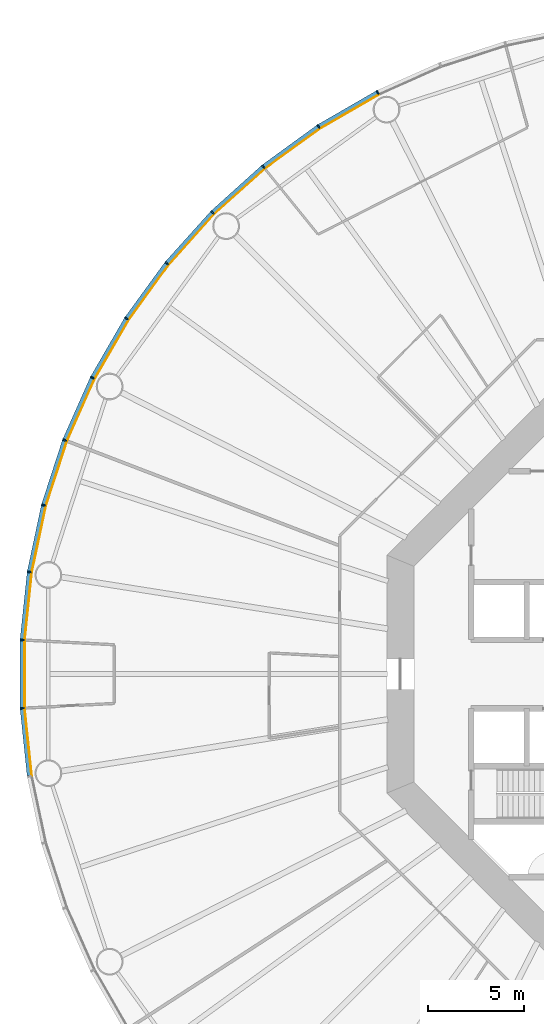
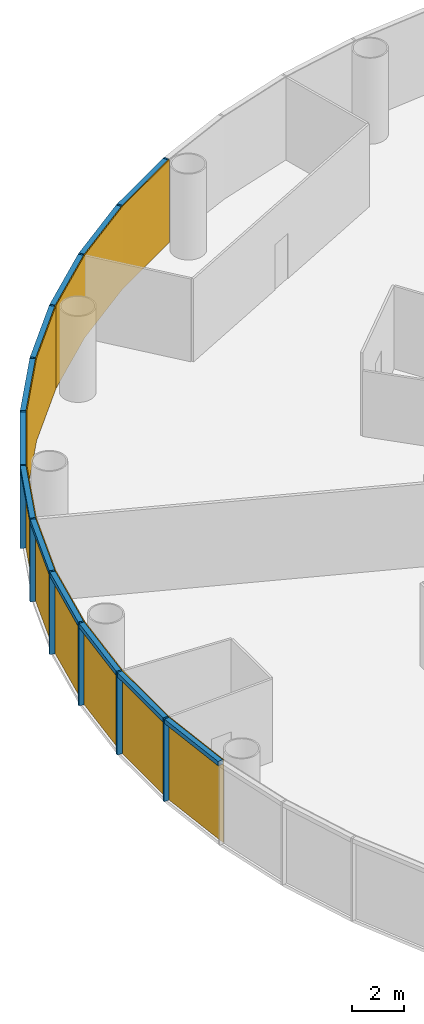
# One storey, part 9 of 13: 24 members, 4 curtain walls.
"""IFC4 building model written with IfcOpenShell, lengths in metres."""

from ifc_helpers import new_model, si_unit, direction, frame, origin, origin_2d, place, context, subcontext, project, spatial, polyline, rectangle, outline, extrude, material, layer, layer_set, material_profile, profile_set, type_object, element, aggregate, save


model = new_model("IFC4")

# Units and contexts
model_context = context("Model", 3, precision=1e-05, world=origin(), true_north=direction((0.0, 1.0)))
body_context = subcontext(model_context, "Body", "Model", "MODEL_VIEW")
ifc_project = project(units=[si_unit("LENGTHUNIT", "METRE"), si_unit("AREAUNIT", "SQUARE_METRE"), si_unit("VOLUMEUNIT", "CUBIC_METRE"), si_unit("PLANEANGLEUNIT", "RADIAN"), si_unit("MASSUNIT", "GRAM", prefix="KILO")], contexts=[model_context])

# Member
ifc_material_1 = material(Name="Anodised aluminium", Category="aluminium")
ifc_material_profile_1 = material_profile(ifc_material_1, rectangle(XDim=0.074951171875, YDim=0.219970703125, at=origin_2d()), Name="Mullion 75 x 220 mm anodised aluminium")
ifc_profile_set_1 = profile_set([ifc_material_profile_1], Name="Anodised aluminium")
member_type_1 = type_object("IfcMemberType", Name="Mullion 75 x 220 mm anodised aluminium", PredefinedType="MULLION", material=ifc_profile_set_1)
site_placement = place(None, origin())
building_placement = place(site_placement, origin())
storey_placement = place(building_placement, frame((0.0, 0.0, 30.0)))
member_1_placement = place(storey_placement, frame((74.514404296875, 110.392333984375, 0.0), z_axis=(0.0, 0.0, 1.0), x_axis=(-0.891006524188, -0.45399049974, 0.0)))
member_1 = element("IfcMember", 1, at=member_1_placement, type_object=member_type_1, Name="MULLION L05-18", PredefinedType="MULLION", context=body_context, shape_type="SweptSolid", body=[
    extrude(rectangle(XDim=0.074951171875, YDim=0.219970703125, at=origin_2d()), origin(), (0.0, 0.0, 1.0), 3.85009765625),
])

member_2_placement = place(storey_placement, frame((71.42236328125, 108.60693359375, 0.0), z_axis=(0.0, 0.0, 1.0), x_axis=(-0.838670567945, -0.544639035015, 0.0)))
member_2 = element("IfcMember", 2, at=member_2_placement, type_object=member_type_1, Name="MULLION L05-19", PredefinedType="MULLION", context=body_context, shape_type="SweptSolid", body=[
    extrude(rectangle(XDim=0.074951171875, YDim=0.219970703125, at=origin_2d()), origin(), (0.0, 0.0, 1.0), 3.85009765625),
])

member_3_placement = place(storey_placement, frame((68.533935546875, 106.508544921875, 0.0), z_axis=(0.0, 0.0, 1.0), x_axis=(-0.777145961457, -0.62932039105, 0.0)))
member_3 = element("IfcMember", 3, at=member_3_placement, type_object=member_type_1, Name="MULLION L05-20", PredefinedType="MULLION", context=body_context, shape_type="SweptSolid", body=[
    extrude(rectangle(XDim=0.074951171875, YDim=0.219970703125, at=origin_2d()), origin(), (0.0, 0.0, 1.0), 3.85009765625),
])

member_4_placement = place(storey_placement, frame((65.880615234375, 104.119384765625, 0.0), z_axis=(0.0, 0.0, 1.0), x_axis=(-0.707106781187, -0.707106781187, 0.0)))
member_4 = element("IfcMember", 4, at=member_4_placement, type_object=member_type_1, Name="MULLION L05-21", PredefinedType="MULLION", context=body_context, shape_type="SweptSolid", body=[
    extrude(rectangle(XDim=0.074951171875, YDim=0.219970703125, at=origin_2d()), origin(), (0.0, 0.0, 1.0), 3.85009765625),
])

member_5_placement = place(storey_placement, frame((63.491455078125, 101.466064453125, 0.0), z_axis=(0.0, 0.0, 1.0), x_axis=(-0.62932039105, -0.777145961457, 0.0)))
member_5 = element("IfcMember", 5, at=member_5_placement, type_object=member_type_1, Name="MULLION L05-22", PredefinedType="MULLION", context=body_context, shape_type="SweptSolid", body=[
    extrude(rectangle(XDim=0.074951171875, YDim=0.219970703125, at=origin_2d()), origin(), (0.0, 0.0, 1.0), 3.85009765625),
])

member_6_placement = place(storey_placement, frame((61.39306640625, 98.57763671875, 0.0), z_axis=(0.0, 0.0, 1.0), x_axis=(-0.544639035015, -0.838670567945, 0.0)))
member_6 = element("IfcMember", 6, at=member_6_placement, type_object=member_type_1, Name="MULLION L05-23", PredefinedType="MULLION", context=body_context, shape_type="SweptSolid", body=[
    extrude(rectangle(XDim=0.074951171875, YDim=0.219970703125, at=origin_2d()), origin(), (0.0, 0.0, 1.0), 3.85009765625),
])

member_7_placement = place(storey_placement, frame((59.607666015625, 95.485595703125, 0.0), z_axis=(0.0, 0.0, 1.0), x_axis=(-0.45399049974, -0.891006524188, 0.0)))
member_7 = element("IfcMember", 7, at=member_7_placement, type_object=member_type_1, Name="MULLION L05-24", PredefinedType="MULLION", context=body_context, shape_type="SweptSolid", body=[
    extrude(rectangle(XDim=0.074951171875, YDim=0.219970703125, at=origin_2d()), origin(), (0.0, 0.0, 1.0), 3.85009765625),
])

member_8_placement = place(storey_placement, frame((58.155517578125, 92.223876953125, 0.0), z_axis=(0.0, 0.0, 1.0), x_axis=(-0.358367949545, -0.933580426497, 0.0)))
member_8 = element("IfcMember", 8, at=member_8_placement, type_object=member_type_1, Name="MULLION L05-25", PredefinedType="MULLION", context=body_context, shape_type="SweptSolid", body=[
    extrude(rectangle(XDim=0.074951171875, YDim=0.219970703125, at=origin_2d()), origin(), (0.0, 0.0, 1.0), 3.85009765625),
])

member_9_placement = place(storey_placement, frame((57.05224609375, 88.828369140625, 0.0), z_axis=(0.0, 0.0, 1.0), x_axis=(-0.258819045103, -0.965925826289, 0.0)))
member_9 = element("IfcMember", 9, at=member_9_placement, type_object=member_type_1, Name="MULLION L05-26", PredefinedType="MULLION", context=body_context, shape_type="SweptSolid", body=[
    extrude(rectangle(XDim=0.074951171875, YDim=0.219970703125, at=origin_2d()), origin(), (0.0, 0.0, 1.0), 3.85009765625),
])

member_10_placement = place(storey_placement, frame((56.31005859375, 85.3359375, 0.0), z_axis=(0.0, 0.0, 1.0), x_axis=(-0.15643446504, -0.987688340595, 0.0)))
member_10 = element("IfcMember", 10, at=member_10_placement, type_object=member_type_1, Name="MULLION L05-27", PredefinedType="MULLION", context=body_context, shape_type="SweptSolid", body=[
    extrude(rectangle(XDim=0.074951171875, YDim=0.219970703125, at=origin_2d()), origin(), (0.0, 0.0, 1.0), 3.85009765625),
])

member_11_placement = place(storey_placement, frame((55.936767578125, 81.78515625, 0.0), z_axis=(0.0, 0.0, 1.0), x_axis=(-0.052335956243, -0.998629534755, 0.0)))
member_11 = element("IfcMember", 11, at=member_11_placement, type_object=member_type_1, Name="MULLION L05-28", PredefinedType="MULLION", context=body_context, shape_type="SweptSolid", body=[
    extrude(rectangle(XDim=0.074951171875, YDim=0.219970703125, at=origin_2d()), origin(), (0.0, 0.0, 1.0), 3.85009765625),
])

member_12_placement = place(storey_placement, frame((55.936767578125, 78.21484375, 0.0), z_axis=(0.0, 0.0, 1.0), x_axis=(0.052335956243, -0.998629534755, 0.0)))
member_12 = element("IfcMember", 12, at=member_12_placement, type_object=member_type_1, Name="MULLION L05-29", PredefinedType="MULLION", context=body_context, shape_type="SweptSolid", body=[
    extrude(rectangle(XDim=0.074951171875, YDim=0.219970703125, at=origin_2d()), origin(), (0.0, 0.0, 1.0), 3.85009765625),
])

ifc_material_2 = material(Name="Anodised aluminium", Category="aluminium")
ifc_material_profile_2 = material_profile(ifc_material_2, rectangle(XDim=0.219970703125, YDim=0.199951171875, at=origin_2d()), Name="Transom 200 x 220 mm anodised aluminium")
ifc_profile_set_2 = profile_set([ifc_material_profile_2], Name="Anodised aluminium")
member_type_2 = type_object("IfcMemberType", Name="Transom 200 x 220 mm anodised aluminium", PredefinedType="USERDEFINED", material=ifc_profile_set_2)
member_13_placement = place(storey_placement, frame((74.476806640625, 110.370849609375, 3.75), z_axis=(-0.866022206254, -0.500005538244, 0.0), x_axis=(0.500005538244, -0.866022206254, 0.0)))
member_13 = element("IfcMember", 13, at=member_13_placement, type_object=member_type_2, Name="TRANSOM L05-18", ObjectType="TRANSOM", PredefinedType="USERDEFINED", context=body_context, shape_type="SweptSolid", body=[
    extrude(rectangle(XDim=0.219970703125, YDim=0.199951171875, at=origin_2d()), origin(), (0.0, 0.0, 1.0), 3.48388671875),
])

member_14_placement = place(storey_placement, frame((71.38720703125, 108.581787109375, 3.75), z_axis=(-0.80899056535, -0.587821627006, 0.0), x_axis=(0.587821627006, -0.80899056535, 0.0)))
member_14 = element("IfcMember", 14, at=member_14_placement, type_object=member_type_2, Name="TRANSOM L05-19", ObjectType="TRANSOM", PredefinedType="USERDEFINED", context=body_context, shape_type="SweptSolid", body=[
    extrude(rectangle(XDim=0.219970703125, YDim=0.199951171875, at=origin_2d()), origin(), (0.0, 0.0, 1.0), 3.48388671875),
])

member_15_placement = place(storey_placement, frame((68.501708984375, 106.479736328125, 3.75), z_axis=(-0.743137329876, -0.669138930974, 0.0), x_axis=(0.669138930974, -0.743137329876, 0.0)))
member_15 = element("IfcMember", 15, at=member_15_placement, type_object=member_type_2, Name="TRANSOM L05-20", ObjectType="TRANSOM", PredefinedType="USERDEFINED", context=body_context, shape_type="SweptSolid", body=[
    extrude(rectangle(XDim=0.219970703125, YDim=0.199951171875, at=origin_2d()), origin(), (0.0, 0.0, 1.0), 3.484130859375),
])

member_16_placement = place(storey_placement, frame((65.8515625, 104.08740234375, 3.75), z_axis=(-0.669138930974, -0.743137329876, 0.0), x_axis=(0.743137329876, -0.669138930974, 0.0)))
member_16 = element("IfcMember", 16, at=member_16_placement, type_object=member_type_2, Name="TRANSOM L05-21", ObjectType="TRANSOM", PredefinedType="USERDEFINED", context=body_context, shape_type="SweptSolid", body=[
    extrude(rectangle(XDim=0.219970703125, YDim=0.199951171875, at=origin_2d()), origin(), (0.0, 0.0, 1.0), 3.484130859375),
])

member_17_placement = place(storey_placement, frame((63.466064453125, 101.43115234375, 3.75), z_axis=(-0.587821627006, -0.80899056535, 0.0), x_axis=(0.80899056535, -0.587821627006, 0.0)))
member_17 = element("IfcMember", 17, at=member_17_placement, type_object=member_type_2, Name="TRANSOM L05-22", ObjectType="TRANSOM", PredefinedType="USERDEFINED", context=body_context, shape_type="SweptSolid", body=[
    extrude(rectangle(XDim=0.219970703125, YDim=0.199951171875, at=origin_2d()), origin(), (0.0, 0.0, 1.0), 3.48388671875),
])

member_18_placement = place(storey_placement, frame((61.37109375, 98.540283203125, 3.75), z_axis=(-0.500005538244, -0.866022206254, 0.0), x_axis=(0.866022206254, -0.500005538244, 0.0)))
member_18 = element("IfcMember", 18, at=member_18_placement, type_object=member_type_2, Name="TRANSOM L05-23", ObjectType="TRANSOM", PredefinedType="USERDEFINED", context=body_context, shape_type="SweptSolid", body=[
    extrude(rectangle(XDim=0.219970703125, YDim=0.199951171875, at=origin_2d()), origin(), (0.0, 0.0, 1.0), 3.48388671875),
])

member_19_placement = place(storey_placement, frame((59.590087890625, 95.446044921875, 3.75), z_axis=(-0.406736576304, -0.913545487371, 0.0), x_axis=(0.913545487371, -0.406736576304, 0.0)))
member_19 = element("IfcMember", 19, at=member_19_placement, type_object=member_type_2, Name="TRANSOM L05-24", ObjectType="TRANSOM", PredefinedType="USERDEFINED", context=body_context, shape_type="SweptSolid", body=[
    extrude(rectangle(XDim=0.219970703125, YDim=0.199951171875, at=origin_2d()), origin(), (0.0, 0.0, 1.0), 3.48388671875),
])

member_20_placement = place(storey_placement, frame((58.14208984375, 92.182861328125, 3.75), z_axis=(-0.309029029702, -0.951052605696, 0.0), x_axis=(0.951052605696, -0.309029029702, 0.0)))
member_20 = element("IfcMember", 20, at=member_20_placement, type_object=member_type_2, Name="TRANSOM L05-25", ObjectType="TRANSOM", PredefinedType="USERDEFINED", context=body_context, shape_type="SweptSolid", body=[
    extrude(rectangle(XDim=0.219970703125, YDim=0.199951171875, at=origin_2d()), origin(), (0.0, 0.0, 1.0), 3.484130859375),
])

member_21_placement = place(storey_placement, frame((57.043212890625, 88.7861328125, 3.75), z_axis=(-0.207920776701, -0.978145669426, 0.0), x_axis=(0.978145669426, -0.207920776701, 0.0)))
member_21 = element("IfcMember", 21, at=member_21_placement, type_object=member_type_2, Name="TRANSOM L05-26", ObjectType="TRANSOM", PredefinedType="USERDEFINED", context=body_context, shape_type="SweptSolid", body=[
    extrude(rectangle(XDim=0.219970703125, YDim=0.199951171875, at=origin_2d()), origin(), (0.0, 0.0, 1.0), 3.48388671875),
])

member_22_placement = place(storey_placement, frame((56.30517578125, 85.29296875, 3.75), z_axis=(-0.104484152234, -0.994526551648, 0.0), x_axis=(0.994526551648, -0.104484152234, 0.0)))
member_22 = element("IfcMember", 22, at=member_22_placement, type_object=member_type_2, Name="TRANSOM L05-27", ObjectType="TRANSOM", PredefinedType="USERDEFINED", context=body_context, shape_type="SweptSolid", body=[
    extrude(rectangle(XDim=0.219970703125, YDim=0.199951171875, at=origin_2d()), origin(), (0.0, 0.0, 1.0), 3.48388671875),
])

member_23_placement = place(storey_placement, frame((55.9365234375, 81.741943359375, 3.75), z_axis=(0.0, -1.0, 0.0), x_axis=(1.0, 0.0, 0.0)))
member_23 = element("IfcMember", 23, at=member_23_placement, type_object=member_type_2, Name="TRANSOM L05-28", ObjectType="TRANSOM", PredefinedType="USERDEFINED", context=body_context, shape_type="SweptSolid", body=[
    extrude(rectangle(XDim=0.219970703125, YDim=0.199951171875, at=origin_2d()), origin(), (0.0, 0.0, 1.0), 3.48388671875),
])

member_24_placement = place(storey_placement, frame((55.941162109375, 78.171875, 3.75), z_axis=(0.104484152234, -0.994526551648, 0.0), x_axis=(0.994526551648, 0.104484152234, 0.0)))
member_24 = element("IfcMember", 24, at=member_24_placement, type_object=member_type_2, Name="TRANSOM L05-29", ObjectType="TRANSOM", PredefinedType="USERDEFINED", context=body_context, shape_type="SweptSolid", body=[
    extrude(rectangle(XDim=0.219970703125, YDim=0.199951171875, at=origin_2d()), origin(), (0.0, 0.0, 1.0), 3.48388671875),
])

# Site, building, storey
site = spatial("IfcSite", under=ifc_project, at=site_placement, CompositionType="ELEMENT")
building = spatial("IfcBuilding", under=site, at=building_placement, Name="Entoto Ring Tower", CompositionType="ELEMENT")
storey = spatial("IfcBuildingStorey", under=building, at=storey_placement, Name="L05", CompositionType="ELEMENT", Elevation=30.0)

# Curtain wall
ifc_material_3 = material(Name="Clear low-iron glass", Category="glass")
ifc_layer = layer(ifc_material_3, 0.0400390625)
ifc_layer_set = layer_set([ifc_layer], Name="Clear low-iron glass")
curtain_wall_type = type_object("IfcCurtainWallType", Name="Curtain wall system CW1 glazing 40 mm", PredefinedType="NOTDEFINED", material=ifc_layer_set)
curtain_wall_1_placement = place(storey_placement, origin())
curtain_wall_1 = element("IfcCurtainWall", 25, at=curtain_wall_1_placement, inside=storey, type_object=curtain_wall_type, Name="CW1 L05-07", PredefinedType="NOTDEFINED", context=body_context, shape_type="SweptSolid", body=[
    extrude(outline(polyline([(74.564208984375, 110.294189453125), (71.482177734375, 108.514892578125), (68.60302734375, 106.4228515625), (65.958251953125, 104.041748046875), (65.986572265625, 104.013427734375), (68.62841796875, 106.391845703125), (71.504150390625, 108.481201171875), (74.58251953125, 110.258544921875), (74.564208984375, 110.294189453125)])), origin(), (0.0, 0.0, 1.0), 3.85009765625),
])

aggregate(curtain_wall_1, [member_1, member_2, member_3, member_13, member_14, member_15])

curtain_wall_2_placement = place(storey_placement, origin())
curtain_wall_2 = element("IfcCurtainWall", 26, at=curtain_wall_2_placement, inside=storey, type_object=curtain_wall_type, Name="CW1 L05-08", PredefinedType="NOTDEFINED", context=body_context, shape_type="SweptSolid", body=[
    extrude(outline(polyline([(65.958251953125, 104.041748046875), (63.5771484375, 101.39697265625), (61.485107421875, 98.517822265625), (59.705810546875, 95.435791015625), (59.741455078125, 95.41748046875), (61.518798828125, 98.495849609375), (63.608154296875, 101.37158203125), (65.986572265625, 104.013427734375), (65.958251953125, 104.041748046875)])), origin(), (0.0, 0.0, 1.0), 3.85009765625),
])

aggregate(curtain_wall_2, [member_4, member_5, member_6, member_16, member_17, member_18])

curtain_wall_3_placement = place(storey_placement, origin())
curtain_wall_3 = element("IfcCurtainWall", 27, at=curtain_wall_3_placement, inside=storey, type_object=curtain_wall_type, Name="CW1 L05-09", PredefinedType="NOTDEFINED", context=body_context, shape_type="SweptSolid", body=[
    extrude(outline(polyline([(59.705810546875, 95.435791015625), (58.25830078125, 92.1845703125), (57.158447265625, 88.7998046875), (56.418701171875, 85.31884765625), (56.458251953125, 85.3125), (57.197265625, 88.78955078125), (58.295654296875, 92.170166015625), (59.741455078125, 95.41748046875), (59.705810546875, 95.435791015625)])), origin(), (0.0, 0.0, 1.0), 3.85009765625),
])

aggregate(curtain_wall_3, [member_7, member_8, member_9, member_19, member_20, member_21])

curtain_wall_4_placement = place(storey_placement, origin())
curtain_wall_4 = element("IfcCurtainWall", 28, at=curtain_wall_4_placement, inside=storey, type_object=curtain_wall_type, Name="CW1 L05-10", PredefinedType="NOTDEFINED", context=body_context, shape_type="SweptSolid", body=[
    extrude(outline(polyline([(56.418701171875, 85.31884765625), (56.046630859375, 81.779541015625), (56.046630859375, 78.220458984375), (56.418701171875, 74.68115234375), (56.458251953125, 74.6875), (56.086669921875, 78.22265625), (56.086669921875, 81.77734375), (56.458251953125, 85.3125), (56.418701171875, 85.31884765625)])), origin(), (0.0, 0.0, 1.0), 3.85009765625),
])

aggregate(curtain_wall_4, [member_10, member_11, member_12, member_22, member_23, member_24])

save(model, "model.ifc")
